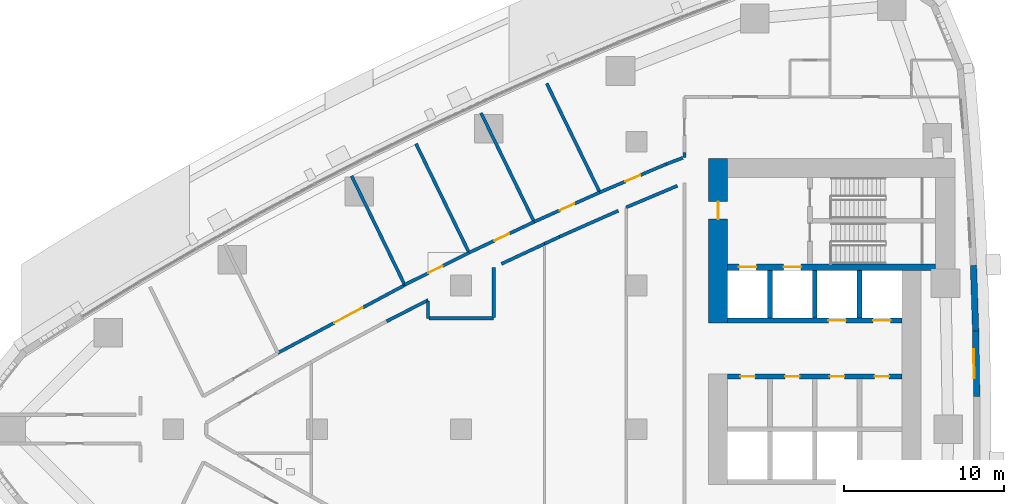
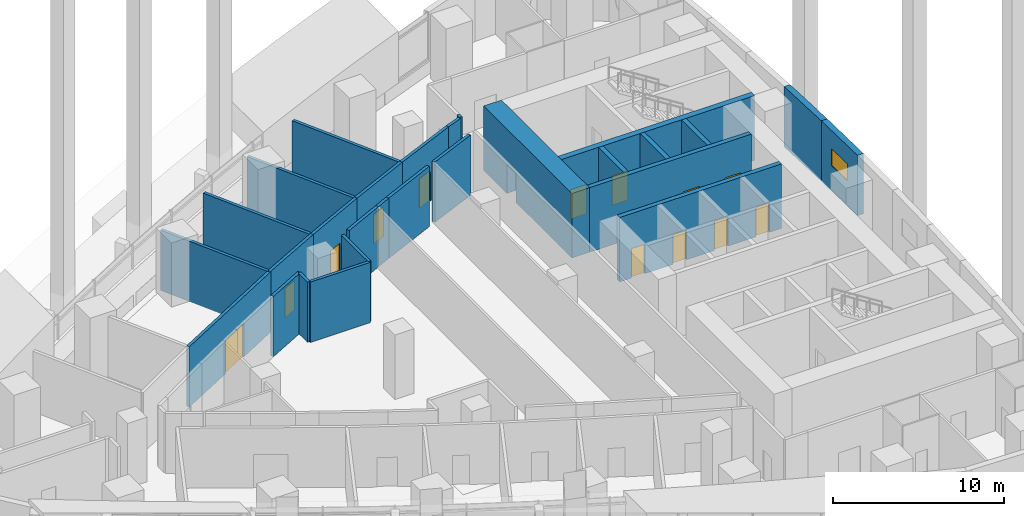
# One storey, part 12 of 20: 28 walls, 14 doors, 1 window, 15 openings.
"""IFC4 building model written with IfcOpenShell, lengths in metres."""

from ifc_helpers import new_model, si_unit, direction, frame, frame_2d, origin, place, context, subcontext, project, spatial, polyline, rectangle, outline, extrude, material, layer, layer_set, type_object, element, fill, save


model = new_model("IFC4")

# Units and contexts
model_context = context("Model", 3, precision=1e-05, world=origin(), true_north=direction((0.0, 1.0)))
body_context = subcontext(model_context, "Body", "Model", "MODEL_VIEW")
ifc_project = project(units=[si_unit("LENGTHUNIT", "METRE"), si_unit("AREAUNIT", "SQUARE_METRE"), si_unit("VOLUMEUNIT", "CUBIC_METRE"), si_unit("PLANEANGLEUNIT", "RADIAN"), si_unit("MASSUNIT", "GRAM", prefix="KILO")], contexts=[model_context])

# Site, building, storey
site_placement = place(None, origin())
site = spatial("IfcSite", under=ifc_project, at=site_placement, CompositionType="ELEMENT")
building_placement = place(site_placement, origin())
building = spatial("IfcBuilding", under=site, at=building_placement, Name="Ostrand Prow Hotel Tower", CompositionType="ELEMENT")
storey_placement = place(building_placement, frame((0.0, 0.0, 35.0)))
storey = spatial("IfcBuildingStorey", under=building, at=storey_placement, Name="L06", CompositionType="ELEMENT", Elevation=35.0)

# Wall, opening, door
ifc_material_1 = material(Name="Concrete C80/95", Category="concrete")
ifc_layer_1 = layer(ifc_material_1, 1.199951171875)
ifc_layer_set_1 = layer_set([ifc_layer_1], Name="Concrete C80/95")
wall_type_1 = type_object("IfcWallType", Name="Core wall 1200 C80/95", PredefinedType="SHEAR", material=ifc_layer_set_1)
wall_1_placement = place(storey_placement, frame((50.10009765625, 6.64990234375, 0.0), z_axis=(0.0, 0.0, 1.0), x_axis=(0.0, 1.0, 0.0)))
wall_1 = element("IfcWall", 1, at=wall_1_placement, inside=storey, type_object=wall_type_1, Name="Core wall CW-W-N", PredefinedType="SHEAR", context=body_context, shape_type="SweptSolid", body=[
    extrude(rectangle(XDim=10.300048828125, YDim=1.199951171875, at=frame_2d((5.14990234375, 0.0))), origin(), (0.0, 0.0, 1.0), 4.60009765625),
])
opening_1_placement = place(wall_1_placement, frame((6.5, 0.0, 0.0)))
opening_1 = element("IfcOpeningElement", 2, at=opening_1_placement, cuts=wall_1, Name="Opening FD1", PredefinedType="OPENING", context=body_context, shape_type="SweptSolid", body=[
    extrude(rectangle(XDim=1.10009765625, YDim=2.10009765625, at=frame_2d((0.550048828125, 1.050048828125))), frame((0.0, 0.60986328125, 0.0), z_axis=(0.0, -1.0, 0.0), x_axis=(1.0, 0.0, 0.0)), (0.0, 0.0, 1.0), 1.219970703125),
])
ifc_material_2 = material(Name="Steel fire door", Category="steel")
door_type_1 = type_object("IfcDoorType", Name="Fire door 1100 EI120", OperationType="SINGLE_SWING_RIGHT", PredefinedType="DOOR", material=ifc_material_2)
door_1_placement = place(opening_1_placement, origin())
door_1 = element("IfcDoor", 3, at=door_1_placement, inside=storey, type_object=door_type_1, Name="FIRE DOOR", OperationType="SINGLE_SWING_RIGHT", OverallHeight=2.10009765625, OverallWidth=1.10009765625, PredefinedType="DOOR", context=body_context, shape_type="SweptSolid", body=[
    extrude(rectangle(XDim=1.10009765625, YDim=2.10009765625, at=frame_2d((0.550048828125, 1.050048828125))), frame((0.0, 0.02490234375, 0.0), z_axis=(0.0, -1.0, 0.0), x_axis=(1.0, 0.0, 0.0)), (0.0, 0.0, 1.0), 0.050048828125),
])
fill(opening_1, door_1)

# Wall, openings, doors
ifc_material_3 = material(Name="Concrete C80/95", Category="concrete")
ifc_layer_2 = layer(ifc_material_3, 0.300048828125)
ifc_layer_set_2 = layer_set([ifc_layer_2], Name="Concrete C80/95")
wall_type_2 = type_object("IfcWallType", Name="Core wall 300 C80/95", PredefinedType="SHEAR", material=ifc_layer_set_2)
wall_2_placement = place(storey_placement, frame((50.699951171875, 3.300048828125, 0.0), z_axis=(0.0, 0.0, 1.0), x_axis=(1.0, 0.0, 0.0)))
wall_2 = element("IfcWall", 4, at=wall_2_placement, inside=storey, type_object=wall_type_2, Name="Core wall PW-L1-N", PredefinedType="SHEAR", context=body_context, shape_type="SweptSolid", body=[
    extrude(rectangle(XDim=10.900146484375, YDim=0.300048828125, at=frame_2d((5.4501953125, 0.0))), origin(), (0.0, 0.0, 1.0), 4.60009765625),
])
opening_2_placement = place(wall_2_placement, frame((0.800048828125, 0.0, 0.0)))
opening_2 = element("IfcOpeningElement", 5, at=opening_2_placement, cuts=wall_2, Name="Opening FD2", PredefinedType="OPENING", context=body_context, shape_type="SweptSolid", body=[
    extrude(rectangle(XDim=0.89990234375, YDim=2.10009765625, at=frame_2d((0.449951171875, 1.050048828125))), frame((0.0, 0.159912109375, 0.0), z_axis=(0.0, -1.0, 0.0), x_axis=(1.0, 0.0, 0.0)), (0.0, 0.0, 1.0), 0.320068359375),
])
opening_3_placement = place(wall_2_placement, frame((3.60009765625, 0.0, 0.0)))
opening_3 = element("IfcOpeningElement", 6, at=opening_3_placement, cuts=wall_2, Name="Opening FD2", PredefinedType="OPENING", context=body_context, shape_type="SweptSolid", body=[
    extrude(rectangle(XDim=0.89990234375, YDim=2.10009765625, at=frame_2d((0.449951171875, 1.050048828125))), frame((0.0, 0.159912109375, 0.0), z_axis=(0.0, -1.0, 0.0), x_axis=(1.0, 0.0, 0.0)), (0.0, 0.0, 1.0), 0.320068359375),
])
opening_4_placement = place(wall_2_placement, frame((6.39990234375, 0.0, 0.0)))
opening_4 = element("IfcOpeningElement", 7, at=opening_4_placement, cuts=wall_2, Name="Opening FD2", PredefinedType="OPENING", context=body_context, shape_type="SweptSolid", body=[
    extrude(rectangle(XDim=0.89990234375, YDim=2.10009765625, at=frame_2d((0.449951171875, 1.050048828125))), frame((0.0, 0.159912109375, 0.0), z_axis=(0.0, -1.0, 0.0), x_axis=(1.0, 0.0, 0.0)), (0.0, 0.0, 1.0), 0.320068359375),
])
opening_5_placement = place(wall_2_placement, frame((9.199951171875, 0.0, 0.0)))
opening_5 = element("IfcOpeningElement", 8, at=opening_5_placement, cuts=wall_2, Name="Opening FD2", PredefinedType="OPENING", context=body_context, shape_type="SweptSolid", body=[
    extrude(rectangle(XDim=0.89990234375, YDim=2.10009765625, at=frame_2d((0.449951171875, 1.050048828125))), frame((0.0, 0.159912109375, 0.0), z_axis=(0.0, -1.0, 0.0), x_axis=(1.0, 0.0, 0.0)), (0.0, 0.0, 1.0), 0.320068359375),
])
ifc_material_4 = material(Name="Steel fire door", Category="steel")
door_type_2 = type_object("IfcDoorType", Name="Fire door 900 EI120", OperationType="SINGLE_SWING_LEFT", PredefinedType="DOOR", material=ifc_material_4)
door_2_placement = place(opening_2_placement, origin())
door_2 = element("IfcDoor", 9, at=door_2_placement, inside=storey, type_object=door_type_2, Name="DOOR", OperationType="SINGLE_SWING_LEFT", OverallHeight=2.10009765625, OverallWidth=0.89990234375, PredefinedType="DOOR", context=body_context, shape_type="SweptSolid", body=[
    extrude(rectangle(XDim=0.89990234375, YDim=2.10009765625, at=frame_2d((0.449951171875, 1.050048828125))), frame((0.0, 0.02490234375, 0.0), z_axis=(0.0, -1.0, 0.0), x_axis=(1.0, 0.0, 0.0)), (0.0, 0.0, 1.0), 0.050048828125),
])
fill(opening_2, door_2)
door_3_placement = place(opening_3_placement, origin())
door_3 = element("IfcDoor", 10, at=door_3_placement, inside=storey, type_object=door_type_2, Name="DOOR", OperationType="SINGLE_SWING_LEFT", OverallHeight=2.10009765625, OverallWidth=0.89990234375, PredefinedType="DOOR", context=body_context, shape_type="SweptSolid", body=[
    extrude(rectangle(XDim=0.89990234375, YDim=2.10009765625, at=frame_2d((0.449951171875, 1.050048828125))), frame((0.0, 0.02490234375, 0.0), z_axis=(0.0, -1.0, 0.0), x_axis=(1.0, 0.0, 0.0)), (0.0, 0.0, 1.0), 0.050048828125),
])
fill(opening_3, door_3)
door_4_placement = place(opening_4_placement, origin())
door_4 = element("IfcDoor", 11, at=door_4_placement, inside=storey, type_object=door_type_2, Name="DOOR", OperationType="SINGLE_SWING_LEFT", OverallHeight=2.10009765625, OverallWidth=0.89990234375, PredefinedType="DOOR", context=body_context, shape_type="SweptSolid", body=[
    extrude(rectangle(XDim=0.89990234375, YDim=2.10009765625, at=frame_2d((0.449951171875, 1.050048828125))), frame((0.0, 0.02490234375, 0.0), z_axis=(0.0, -1.0, 0.0), x_axis=(1.0, 0.0, 0.0)), (0.0, 0.0, 1.0), 0.050048828125),
])
fill(opening_4, door_4)
door_5_placement = place(opening_5_placement, origin())
door_5 = element("IfcDoor", 12, at=door_5_placement, inside=storey, type_object=door_type_2, Name="DOOR", OperationType="SINGLE_SWING_LEFT", OverallHeight=2.10009765625, OverallWidth=0.89990234375, PredefinedType="DOOR", context=body_context, shape_type="SweptSolid", body=[
    extrude(rectangle(XDim=0.89990234375, YDim=2.10009765625, at=frame_2d((0.449951171875, 1.050048828125))), frame((0.0, 0.02490234375, 0.0), z_axis=(0.0, -1.0, 0.0), x_axis=(1.0, 0.0, 0.0)), (0.0, 0.0, 1.0), 0.050048828125),
])
fill(opening_5, door_5)

wall_3_placement = place(storey_placement, frame((50.699951171875, 6.800048828125, 0.0), z_axis=(0.0, 0.0, 1.0), x_axis=(1.0, 0.0, 0.0)))
wall_3 = element("IfcWall", 13, at=wall_3_placement, inside=storey, type_object=wall_type_2, Name="Core wall PW-L2-N", PredefinedType="SHEAR", context=body_context, shape_type="SweptSolid", body=[
    extrude(rectangle(XDim=10.900146484375, YDim=0.300048828125, at=frame_2d((5.4501953125, 0.0))), origin(), (0.0, 0.0, 1.0), 4.60009765625),
])
opening_6_placement = place(wall_3_placement, frame((6.300048828125, 0.0, 0.0)))
opening_6 = element("IfcOpeningElement", 14, at=opening_6_placement, cuts=wall_3, Name="Opening LD", PredefinedType="OPENING", context=body_context, shape_type="SweptSolid", body=[
    extrude(rectangle(XDim=1.10009765625, YDim=2.10009765625, at=frame_2d((0.550048828125, 1.050048828125))), frame((0.0, 0.159912109375, 0.0), z_axis=(0.0, -1.0, 0.0), x_axis=(1.0, 0.0, 0.0)), (0.0, 0.0, 1.0), 0.320068359375),
])
opening_7_placement = place(wall_3_placement, frame((9.10009765625, 0.0, 0.0)))
opening_7 = element("IfcOpeningElement", 15, at=opening_7_placement, cuts=wall_3, Name="Opening LD", PredefinedType="OPENING", context=body_context, shape_type="SweptSolid", body=[
    extrude(rectangle(XDim=1.10009765625, YDim=2.10009765625, at=frame_2d((0.550048828125, 1.050048828125))), frame((0.0, 0.159912109375, 0.0), z_axis=(0.0, -1.0, 0.0), x_axis=(1.0, 0.0, 0.0)), (0.0, 0.0, 1.0), 0.320068359375),
])
ifc_material_5 = material(Name="Stainless steel door", Category="steel")
door_type_3 = type_object("IfcDoorType", Name="Lift landing door 1100", OperationType="DOUBLE_DOOR_SLIDING", PredefinedType="DOOR", material=ifc_material_5)
door_6_placement = place(opening_6_placement, origin())
door_6 = element("IfcDoor", 16, at=door_6_placement, inside=storey, type_object=door_type_3, Name="LIFT LANDING DOOR", OperationType="DOUBLE_DOOR_SLIDING", OverallHeight=2.10009765625, OverallWidth=1.10009765625, PredefinedType="DOOR", context=body_context, shape_type="SweptSolid", body=[
    extrude(rectangle(XDim=1.10009765625, YDim=2.10009765625, at=frame_2d((0.550048828125, 1.050048828125))), frame((0.0, 0.02490234375, 0.0), z_axis=(0.0, -1.0, 0.0), x_axis=(1.0, 0.0, 0.0)), (0.0, 0.0, 1.0), 0.050048828125),
])
fill(opening_6, door_6)
door_7_placement = place(opening_7_placement, origin())
door_7 = element("IfcDoor", 17, at=door_7_placement, inside=storey, type_object=door_type_3, Name="LIFT LANDING DOOR", OperationType="DOUBLE_DOOR_SLIDING", OverallHeight=2.10009765625, OverallWidth=1.10009765625, PredefinedType="DOOR", context=body_context, shape_type="SweptSolid", body=[
    extrude(rectangle(XDim=1.10009765625, YDim=2.10009765625, at=frame_2d((0.550048828125, 1.050048828125))), frame((0.0, 0.02490234375, 0.0), z_axis=(0.0, -1.0, 0.0), x_axis=(1.0, 0.0, 0.0)), (0.0, 0.0, 1.0), 0.050048828125),
])
fill(opening_7, door_7)

# Walls
for number, where, z_axis, x_axis, name in (
    (18, (53.35009765625, 6.949951171875, 0.0), (0.0, 0.0, 1.0), (0.0, 1.0, 0.0), "Core wall PW-R1-NA"),
    (19, (56.14990234375, 6.949951171875, 0.0), (0.0, 0.0, 1.0), (0.0, 1.0, 0.0), "Core wall PW-R2-NA"),
    (20, (58.949951171875, 6.949951171875, 0.0), (0.0, 0.0, 1.0), (0.0, 1.0, 0.0), "Core wall PW-R3-NA"),
):
    element("IfcWall", number, at=place(storey_placement, frame(where, z_axis=z_axis, x_axis=x_axis)), inside=storey, type_object=wall_type_2, Name=name, PredefinedType="SHEAR", context=body_context, shape_type="SweptSolid", body=[
        extrude(rectangle(XDim=3.0, YDim=0.300048828125, at=frame_2d((1.5, 0.0))), origin(), (0.0, 0.0, 1.0), 4.60009765625),
    ])

# Wall, openings, doors
ifc_material_6 = material(Name="Concrete C80/95", Category="concrete")
ifc_layer_3 = layer(ifc_material_6, 0.39990234375)
ifc_layer_set_3 = layer_set([ifc_layer_3], Name="Concrete C80/95")
wall_type_3 = type_object("IfcWallType", Name="Core wall 400 C80/95", PredefinedType="SHEAR", material=ifc_layer_set_3)
wall_4_placement = place(storey_placement, frame((50.699951171875, 10.14990234375, 0.0), z_axis=(0.0, 0.0, 1.0), x_axis=(1.0, 0.0, 0.0)))
wall_4 = element("IfcWall", 21, at=wall_4_placement, inside=storey, type_object=wall_type_3, Name="Core wall PW-BN", PredefinedType="SHEAR", context=body_context, shape_type="SweptSolid", body=[
    extrude(rectangle(XDim=13.02001953125, YDim=0.39990234375, at=frame_2d((6.510009765625, 0.0))), origin(), (0.0, 0.0, 1.0), 4.60009765625),
])
opening_8_placement = place(wall_4_placement, frame((0.699951171875, 0.0, 0.0)))
opening_8 = element("IfcOpeningElement", 22, at=opening_8_placement, cuts=wall_4, Name="Opening LD", PredefinedType="OPENING", context=body_context, shape_type="SweptSolid", body=[
    extrude(rectangle(XDim=1.10009765625, YDim=2.10009765625, at=frame_2d((0.550048828125, 1.050048828125))), frame((0.0, 0.2099609375, 0.0), z_axis=(0.0, -1.0, 0.0), x_axis=(1.0, 0.0, 0.0)), (0.0, 0.0, 1.0), 0.419921875),
])
opening_9_placement = place(wall_4_placement, frame((3.5, 0.0, 0.0)))
opening_9 = element("IfcOpeningElement", 23, at=opening_9_placement, cuts=wall_4, Name="Opening LD", PredefinedType="OPENING", context=body_context, shape_type="SweptSolid", body=[
    extrude(rectangle(XDim=1.10009765625, YDim=2.10009765625, at=frame_2d((0.550048828125, 1.050048828125))), frame((0.0, 0.2099609375, 0.0), z_axis=(0.0, -1.0, 0.0), x_axis=(1.0, 0.0, 0.0)), (0.0, 0.0, 1.0), 0.419921875),
])
door_8_placement = place(opening_8_placement, origin())
door_8 = element("IfcDoor", 24, at=door_8_placement, inside=storey, type_object=door_type_3, Name="LIFT LANDING DOOR", OperationType="DOUBLE_DOOR_SLIDING", OverallHeight=2.10009765625, OverallWidth=1.10009765625, PredefinedType="DOOR", context=body_context, shape_type="SweptSolid", body=[
    extrude(rectangle(XDim=1.10009765625, YDim=2.10009765625, at=frame_2d((0.550048828125, 1.050048828125))), frame((0.0, 0.02490234375, 0.0), z_axis=(0.0, -1.0, 0.0), x_axis=(1.0, 0.0, 0.0)), (0.0, 0.0, 1.0), 0.050048828125),
])
fill(opening_8, door_8)
door_9_placement = place(opening_9_placement, origin())
door_9 = element("IfcDoor", 25, at=door_9_placement, inside=storey, type_object=door_type_3, Name="LIFT LANDING DOOR", OperationType="DOUBLE_DOOR_SLIDING", OverallHeight=2.10009765625, OverallWidth=1.10009765625, PredefinedType="DOOR", context=body_context, shape_type="SweptSolid", body=[
    extrude(rectangle(XDim=1.10009765625, YDim=2.10009765625, at=frame_2d((0.550048828125, 1.050048828125))), frame((0.0, 0.02490234375, 0.0), z_axis=(0.0, -1.0, 0.0), x_axis=(1.0, 0.0, 0.0)), (0.0, 0.0, 1.0), 0.050048828125),
])
fill(opening_9, door_9)

# Wall, opening, door
ifc_material_7 = material(Name="Plasterboard partition")
ifc_layer_4 = layer(ifc_material_7, 0.199951171875)
ifc_layer_set_4 = layer_set([ifc_layer_4], Name="Plasterboard partition")
wall_type_4 = type_object("IfcWallType", Name="Partition 200 corridor wall", PredefinedType="PARTITIONING", material=ifc_layer_set_4)
wall_5_placement = place(storey_placement, frame((22.541015625, 4.772705078125, 0.0), z_axis=(0.0, 0.0, 1.0), x_axis=(0.881864282024, 0.471503327762, 0.0)))
wall_5 = element("IfcWall", 26, at=wall_5_placement, inside=storey, type_object=wall_type_4, Name="CORRIDOR WALL", PredefinedType="PARTITIONING", context=body_context, shape_type="SweptSolid", body=[
    extrude(rectangle(XDim=9.01220703125, YDim=0.199951171875, at=frame_2d((4.506103515625, 0.0))), origin(), (0.0, 0.0, 1.0), 4.300048828125),
])
opening_10_placement = place(wall_5_placement, frame((4.006103515625, 0.0, 0.0)))
opening_10 = element("IfcOpeningElement", 27, at=opening_10_placement, cuts=wall_5, Name="Opening D20", PredefinedType="OPENING", context=body_context, shape_type="SweptSolid", body=[
    extrude(rectangle(XDim=2.0, YDim=2.39990234375, at=frame_2d((1.0, 1.199951171875))), frame((0.0, 0.10986328125, 0.0), z_axis=(0.0, -1.0, 0.0), x_axis=(1.0, 0.0, 0.0)), (0.0, 0.0, 1.0), 0.219970703125),
])
ifc_material_8 = material(Name="Timber door leaf", Category="wood")
door_type_4 = type_object("IfcDoorType", Name="Double door 2000", OperationType="DOUBLE_DOOR_SINGLE_SWING", PredefinedType="DOOR", material=ifc_material_8)
door_10_placement = place(opening_10_placement, origin())
door_10 = element("IfcDoor", 28, at=door_10_placement, inside=storey, type_object=door_type_4, Name="DOOR", OperationType="DOUBLE_DOOR_SINGLE_SWING", OverallHeight=2.39990234375, OverallWidth=2.0, PredefinedType="DOOR", context=body_context, shape_type="SweptSolid", body=[
    extrude(rectangle(XDim=2.0, YDim=2.39990234375, at=frame_2d((1.0, 1.199951171875))), frame((0.0, 0.02490234375, 0.0), z_axis=(0.0, -1.0, 0.0), x_axis=(1.0, 0.0, 0.0)), (0.0, 0.0, 1.0), 0.050048828125),
])
fill(opening_10, door_10)

wall_6_placement = place(storey_placement, frame((30.479736328125, 9.039794921875, 0.0), z_axis=(0.0, 0.0, 1.0), x_axis=(0.894989913054, 0.446086376761, 0.0)))
wall_6 = element("IfcWall", 29, at=wall_6_placement, inside=storey, type_object=wall_type_4, Name="CORRIDOR WALL", PredefinedType="PARTITIONING", context=body_context, shape_type="SweptSolid", body=[
    extrude(rectangle(XDim=4.50634765625, YDim=0.199951171875, at=frame_2d((2.253173828125, 0.0))), origin(), (0.0, 0.0, 1.0), 4.300048828125),
])
opening_11_placement = place(wall_6_placement, frame((1.64990234375, 0.0, 0.0)))
opening_11 = element("IfcOpeningElement", 30, at=opening_11_placement, cuts=wall_6, Name="Opening D1", PredefinedType="OPENING", context=body_context, shape_type="SweptSolid", body=[
    extrude(rectangle(XDim=1.0, YDim=2.10009765625, at=frame_2d((0.5, 1.050048828125))), frame((0.0, 0.10986328125, 0.0), z_axis=(0.0, -1.0, 0.0), x_axis=(1.0, 0.0, 0.0)), (0.0, 0.0, 1.0), 0.219970703125),
])
ifc_material_9 = material(Name="Timber door leaf", Category="wood")
door_type_5 = type_object("IfcDoorType", Name="Guest room door 1000", OperationType="SINGLE_SWING_LEFT", PredefinedType="DOOR", material=ifc_material_9)
door_11_placement = place(opening_11_placement, origin())
door_11 = element("IfcDoor", 31, at=door_11_placement, inside=storey, type_object=door_type_5, Name="DOOR", OperationType="SINGLE_SWING_LEFT", OverallHeight=2.10009765625, OverallWidth=1.0, PredefinedType="DOOR", context=body_context, shape_type="SweptSolid", body=[
    extrude(rectangle(XDim=1.0, YDim=2.10009765625, at=frame_2d((0.5, 1.050048828125))), frame((0.0, 0.02490234375, 0.0), z_axis=(0.0, -1.0, 0.0), x_axis=(1.0, 0.0, 0.0)), (0.0, 0.0, 1.0), 0.050048828125),
])
fill(opening_11, door_11)

wall_7_placement = place(storey_placement, frame((38.584716796875, 12.981201171875, 0.0), z_axis=(0.0, 0.0, 1.0), x_axis=(-0.903706948966, -0.428151550727, 0.0)))
wall_7 = element("IfcWall", 32, at=wall_7_placement, inside=storey, type_object=wall_type_4, Name="CORRIDOR WALL", PredefinedType="PARTITIONING", context=body_context, shape_type="SweptSolid", body=[
    extrude(rectangle(XDim=4.50634765625, YDim=0.199951171875, at=frame_2d((2.253173828125, 0.0))), origin(), (0.0, 0.0, 1.0), 4.300048828125),
])
opening_12_placement = place(wall_7_placement, frame((1.75341796875, 0.0, 0.0)))
opening_12 = element("IfcOpeningElement", 33, at=opening_12_placement, cuts=wall_7, Name="Opening D1R", PredefinedType="OPENING", context=body_context, shape_type="SweptSolid", body=[
    extrude(rectangle(XDim=1.0, YDim=2.10009765625, at=frame_2d((0.5, 1.050048828125))), frame((0.0, 0.10986328125, 0.0), z_axis=(0.0, -1.0, 0.0), x_axis=(1.0, 0.0, 0.0)), (0.0, 0.0, 1.0), 0.219970703125),
])
ifc_material_10 = material(Name="Timber door leaf", Category="wood")
door_type_6 = type_object("IfcDoorType", Name="Guest room door 1000 right", OperationType="SINGLE_SWING_RIGHT", PredefinedType="DOOR", material=ifc_material_10)
door_12_placement = place(opening_12_placement, origin())
door_12 = element("IfcDoor", 34, at=door_12_placement, inside=storey, type_object=door_type_6, Name="DOOR", OperationType="SINGLE_SWING_RIGHT", OverallHeight=2.10009765625, OverallWidth=1.0, PredefinedType="DOOR", context=body_context, shape_type="SweptSolid", body=[
    extrude(rectangle(XDim=1.0, YDim=2.10009765625, at=frame_2d((0.5, 1.050048828125))), frame((0.0, 0.02490234375, 0.0), z_axis=(0.0, -1.0, 0.0), x_axis=(1.0, 0.0, 0.0)), (0.0, 0.0, 1.0), 0.050048828125),
])
fill(opening_12, door_12)

wall_8_placement = place(storey_placement, frame((42.694091796875, 14.8271484375, 0.0), z_axis=(0.0, 0.0, 1.0), x_axis=(-0.912193063794, -0.409760679381, 0.0)))
wall_8 = element("IfcWall", 35, at=wall_8_placement, inside=storey, type_object=wall_type_4, Name="CORRIDOR WALL", PredefinedType="PARTITIONING", context=body_context, shape_type="SweptSolid", body=[
    extrude(rectangle(XDim=4.5048828125, YDim=0.199951171875, at=frame_2d((2.25244140625, 0.0))), origin(), (0.0, 0.0, 1.0), 4.300048828125),
])
opening_13_placement = place(wall_8_placement, frame((1.75244140625, 0.0, 0.0)))
opening_13 = element("IfcOpeningElement", 36, at=opening_13_placement, cuts=wall_8, Name="Opening D1", PredefinedType="OPENING", context=body_context, shape_type="SweptSolid", body=[
    extrude(rectangle(XDim=1.0, YDim=2.10009765625, at=frame_2d((0.5, 1.050048828125))), frame((0.0, 0.10986328125, 0.0), z_axis=(0.0, -1.0, 0.0), x_axis=(1.0, 0.0, 0.0)), (0.0, 0.0, 1.0), 0.219970703125),
])
door_13_placement = place(opening_13_placement, origin())
door_13 = element("IfcDoor", 37, at=door_13_placement, inside=storey, type_object=door_type_5, Name="DOOR", OperationType="SINGLE_SWING_LEFT", OverallHeight=2.10009765625, OverallWidth=1.0, PredefinedType="DOOR", context=body_context, shape_type="SweptSolid", body=[
    extrude(rectangle(XDim=1.0, YDim=2.10009765625, at=frame_2d((0.5, 1.050048828125))), frame((0.0, 0.02490234375, 0.0), z_axis=(0.0, -1.0, 0.0), x_axis=(1.0, 0.0, 0.0)), (0.0, 0.0, 1.0), 0.050048828125),
])
fill(opening_13, door_13)

wall_9_placement = place(storey_placement, frame((46.843505859375, 16.5908203125, 0.0), z_axis=(0.0, 0.0, 1.0), x_axis=(-0.92031727314, -0.39117274542, 0.0)))
wall_9 = element("IfcWall", 38, at=wall_9_placement, inside=storey, type_object=wall_type_4, Name="CORRIDOR WALL", PredefinedType="PARTITIONING", context=body_context, shape_type="SweptSolid", body=[
    extrude(rectangle(XDim=4.5087890625, YDim=0.199951171875, at=frame_2d((2.25439453125, 0.0))), origin(), (0.0, 0.0, 1.0), 4.300048828125),
])
opening_14_placement = place(wall_9_placement, frame((1.75439453125, 0.0, 0.0)))
opening_14 = element("IfcOpeningElement", 39, at=opening_14_placement, cuts=wall_9, Name="Opening D1R", PredefinedType="OPENING", context=body_context, shape_type="SweptSolid", body=[
    extrude(rectangle(XDim=1.0, YDim=2.10009765625, at=frame_2d((0.5, 1.050048828125))), frame((0.0, 0.10986328125, 0.0), z_axis=(0.0, -1.0, 0.0), x_axis=(1.0, 0.0, 0.0)), (0.0, 0.0, 1.0), 0.219970703125),
])
door_14_placement = place(opening_14_placement, origin())
door_14 = element("IfcDoor", 40, at=door_14_placement, inside=storey, type_object=door_type_6, Name="DOOR", OperationType="SINGLE_SWING_RIGHT", OverallHeight=2.10009765625, OverallWidth=1.0, PredefinedType="DOOR", context=body_context, shape_type="SweptSolid", body=[
    extrude(rectangle(XDim=1.0, YDim=2.10009765625, at=frame_2d((0.5, 1.050048828125))), frame((0.0, 0.02490234375, 0.0), z_axis=(0.0, -1.0, 0.0), x_axis=(1.0, 0.0, 0.0)), (0.0, 0.0, 1.0), 0.050048828125),
])
fill(opening_14, door_14)

# Walls
wall_10_placement = place(storey_placement, frame((29.357421875, 6.758056640625, 0.0), z_axis=(0.0, 0.0, 1.0), x_axis=(0.890213377055, 0.455543788579, 0.0)))
element("IfcWall", 41, at=wall_10_placement, inside=storey, type_object=wall_type_4, Name="CORRIDOR WALL", PredefinedType="PARTITIONING", context=body_context, shape_type="SweptSolid", body=[
    extrude(rectangle(XDim=2.912353515625, YDim=0.199951171875, at=frame_2d((1.4560546875, 0.0))), origin(), (0.0, 0.0, 1.0), 4.300048828125),
])
wall_11_placement = place(storey_placement, frame((36.5400390625, 10.35107421875, 0.0), z_axis=(0.0, 0.0, 1.0), x_axis=(0.90636141858, 0.422503229467, 0.0)))
element("IfcWall", 42, at=wall_11_placement, inside=storey, type_object=wall_type_4, Name="CORRIDOR WALL", PredefinedType="PARTITIONING", context=body_context, shape_type="SweptSolid", body=[
    extrude(rectangle(XDim=2.972412109375, YDim=0.199951171875, at=frame_2d((1.486328125, 0.0))), origin(), (0.0, 0.0, 1.0), 4.300048828125),
])
wall_12_placement = place(storey_placement, frame((40.1796875, 12.0478515625, 0.0), z_axis=(0.0, 0.0, 1.0), x_axis=(0.913986953061, 0.405743576209, 0.0)))
element("IfcWall", 43, at=wall_12_placement, inside=storey, type_object=wall_type_4, Name="CORRIDOR WALL", PredefinedType="PARTITIONING", context=body_context, shape_type="SweptSolid", body=[
    extrude(rectangle(XDim=4.015869140625, YDim=0.199951171875, at=frame_2d((2.0078125, 0.0))), origin(), (0.0, 0.0, 1.0), 4.300048828125),
])
wall_13_placement = place(storey_placement, frame((39.234130859375, 11.60693359375, 0.0), z_axis=(0.0, 0.0, 1.0), x_axis=(0.906308643899, 0.422616424188, 0.0)))
element("IfcWall", 44, at=wall_13_placement, inside=storey, type_object=wall_type_4, Name="CORRIDOR WALL", PredefinedType="PARTITIONING", context=body_context, shape_type="SweptSolid", body=[
    extrude(rectangle(XDim=1.043212890625, YDim=0.199951171875, at=frame_2d((0.521484375, 0.0))), origin(), (0.0, 0.0, 1.0), 4.300048828125),
])
wall_14_placement = place(storey_placement, frame((44.34765625, 13.88720703125, 0.0), z_axis=(0.0, 0.0, 1.0), x_axis=(0.921260748386, 0.388945540512, 0.0)))
element("IfcWall", 45, at=wall_14_placement, inside=storey, type_object=wall_type_4, Name="CORRIDOR WALL", PredefinedType="PARTITIONING", context=body_context, shape_type="SweptSolid", body=[
    extrude(rectangle(XDim=3.4755859375, YDim=0.199951171875, at=frame_2d((1.73779296875, 0.0))), origin(), (0.0, 0.0, 1.0), 4.300048828125),
])
wall_15_placement = place(storey_placement, frame((31.945068359375, 8.037353515625, 0.0), z_axis=(0.0, 0.0, 1.0), x_axis=(0.003129875123, -0.999995101929, 0.0)))
element("IfcWall", 46, at=wall_15_placement, inside=storey, type_object=wall_type_4, Name="CORRIDOR WALL", PredefinedType="PARTITIONING", context=body_context, shape_type="SweptSolid", body=[
    extrude(rectangle(XDim=1.092041015625, YDim=0.199951171875, at=frame_2d((0.5458984375, 0.0))), origin(), (0.0, 0.0, 1.0), 4.300048828125),
])
wall_16_placement = place(storey_placement, frame((31.988525390625, 6.9453125, 0.0), z_axis=(0.0, 0.0, 1.0), x_axis=(0.999999998196, 6.0074492e-05, 0.0)))
element("IfcWall", 47, at=wall_16_placement, inside=storey, type_object=wall_type_4, Name="CORRIDOR WALL", PredefinedType="PARTITIONING", context=body_context, shape_type="SweptSolid", body=[
    extrude(rectangle(XDim=4.06396484375, YDim=0.199951171875, at=frame_2d((2.031982421875, 0.0))), origin(), (0.0, 0.0, 1.0), 4.300048828125),
])
wall_17_placement = place(storey_placement, frame((36.052490234375, 6.985595703125, 0.0), z_axis=(0.0, 0.0, 1.0), x_axis=(0.000781799464, 0.999999694395, 0.0)))
element("IfcWall", 48, at=wall_17_placement, inside=storey, type_object=wall_type_4, Name="CORRIDOR WALL", PredefinedType="PARTITIONING", context=body_context, shape_type="SweptSolid", body=[
    extrude(rectangle(XDim=3.122802734375, YDim=0.199951171875, at=frame_2d((1.5615234375, 0.0))), origin(), (0.0, 0.0, 1.0), 4.300048828125),
])
wall_18_placement = place(storey_placement, frame((47.99853515625, 17.31591796875, 0.0), z_axis=(0.0, 0.0, 1.0), x_axis=(0.000787401331, -0.99999969, 0.0)))
element("IfcWall", 49, at=wall_18_placement, inside=storey, type_object=wall_type_4, Name="CORRIDOR WALL", PredefinedType="PARTITIONING", context=body_context, shape_type="SweptSolid", body=[
    extrude(rectangle(XDim=0.31005859375, YDim=0.199951171875, at=frame_2d((0.155029296875, 0.0))), origin(), (0.0, 0.0, 1.0), 4.300048828125),
])
wall_19_placement = place(storey_placement, frame((47.887451171875, 16.988525390625, 0.0), z_axis=(0.0, 0.0, 1.0), x_axis=(-0.934484272838, -0.356004415447, 0.0)))
element("IfcWall", 50, at=wall_19_placement, inside=storey, type_object=wall_type_4, Name="CORRIDOR WALL", PredefinedType="PARTITIONING", context=body_context, shape_type="SweptSolid", body=[
    extrude(rectangle(XDim=1.1171875, YDim=0.199951171875, at=frame_2d((0.55859375, 0.0))), origin(), (0.0, 0.0, 1.0), 4.300048828125),
])
ifc_material_11 = material(Name="Plasterboard partition")
ifc_layer_5 = layer(ifc_material_11, 0.199951171875)
ifc_layer_set_5 = layer_set([ifc_layer_5], Name="Plasterboard partition")
wall_type_5 = type_object("IfcWallType", Name="Partition 200 key partition", PredefinedType="PARTITIONING", material=ifc_layer_set_5)
wall_20_placement = place(storey_placement, frame((30.488525390625, 9.02197265625, 0.0), z_axis=(0.0, 0.0, 1.0), x_axis=(-0.43822365664, 0.898865967072, 0.0)))
element("IfcWall", 51, at=wall_20_placement, inside=storey, type_object=wall_type_5, Name="KEY PARTITION", PredefinedType="PARTITIONING", context=body_context, shape_type="SweptSolid", body=[
    extrude(rectangle(XDim=7.601318359375, YDim=0.199951171875, at=frame_2d((3.80078125, 0.0))), origin(), (0.0, 0.0, 1.0), 4.300048828125),
])
wall_21_placement = place(storey_placement, frame((34.512939453125, 11.050048828125, 0.0), z_axis=(0.0, 0.0, 1.0), x_axis=(-0.438187612283, 0.898883538865, 0.0)))
element("IfcWall", 52, at=wall_21_placement, inside=storey, type_object=wall_type_5, Name="KEY PARTITION", PredefinedType="PARTITIONING", context=body_context, shape_type="SweptSolid", body=[
    extrude(rectangle(XDim=7.581787109375, YDim=0.199951171875, at=frame_2d((3.791015625, 0.0))), origin(), (0.0, 0.0, 1.0), 4.300048828125),
])
wall_22_placement = place(storey_placement, frame((38.593505859375, 12.96337890625, 0.0), z_axis=(0.0, 0.0, 1.0), x_axis=(-0.438197705697, 0.898878618459, 0.0)))
element("IfcWall", 53, at=wall_22_placement, inside=storey, type_object=wall_type_5, Name="KEY PARTITION", PredefinedType="PARTITIONING", context=body_context, shape_type="SweptSolid", body=[
    extrude(rectangle(XDim=7.60107421875, YDim=0.199951171875, at=frame_2d((3.800537109375, 0.0))), origin(), (0.0, 0.0, 1.0), 4.300048828125),
])
wall_23_placement = place(storey_placement, frame((42.702880859375, 14.80908203125, 0.0), z_axis=(0.0, 0.0, 1.0), x_axis=(-0.438202247191, 0.898876404494, 0.0)))
element("IfcWall", 54, at=wall_23_placement, inside=storey, type_object=wall_type_5, Name="KEY PARTITION", PredefinedType="PARTITIONING", context=body_context, shape_type="SweptSolid", body=[
    extrude(rectangle(XDim=7.60498046875, YDim=0.199951171875, at=frame_2d((3.802490234375, 0.0))), origin(), (0.0, 0.0, 1.0), 4.300048828125),
])

# Wall, opening, window
ifc_material_12 = material(Name="Precast concrete C40/50", Category="concrete")
ifc_layer_6 = layer(ifc_material_12, 0.39990234375)
ifc_layer_set_6 = layer_set([ifc_layer_6], Name="Precast concrete C40/50")
wall_type_6 = type_object("IfcWallType", Name="Stone-faced precast wall 400 mm", PredefinedType="NOTDEFINED", material=ifc_layer_set_6)
wall_24_placement = place(storey_placement, frame((66.29150390625, 2.052490234375, 0.0), z_axis=(0.0, 0.0, 1.0), x_axis=(-0.016830829972, 0.999858351549, 0.0)))
wall_24 = element("IfcWall", 55, at=wall_24_placement, inside=storey, type_object=wall_type_6, Name="Stone-faced wall back 11", PredefinedType="NOTDEFINED", context=body_context, shape_type="SweptSolid", body=[
    extrude(outline(polyline([(-0.001708984375, -0.199951171875), (4.106689453125, -0.199951171875), (4.103271484375, 0.199951171875), (0.001708984375, 0.199951171875), (-0.001708984375, -0.199951171875)])), origin(), (0.0, 0.0, 1.0), 4.300048828125),
])
opening_15_placement = place(wall_24_placement, frame((1.152587890625, 0.0, 1.800048828125)))
opening_15 = element("IfcOpeningElement", 56, at=opening_15_placement, cuts=wall_24, Name="Opening WC1", PredefinedType="OPENING", context=body_context, shape_type="SweptSolid", body=[
    extrude(rectangle(XDim=1.800048828125, YDim=1.199951171875, at=frame_2d((0.89990234375, 0.60009765625))), frame((0.0, 0.2099609375, 0.0), z_axis=(0.0, -1.0, 0.0), x_axis=(1.0, 0.0, 0.0)), (0.0, 0.0, 1.0), 0.419921875),
])
ifc_material_13 = material(Name="Insulated glass in bronze frame", Category="glass")
window_type = type_object("IfcWindowType", Name="Sky lobby clerestory window 1800x1200", PartitioningType="SINGLE_PANEL", PredefinedType="WINDOW", material=ifc_material_13)
window_placement = place(opening_15_placement, origin())
window = element("IfcWindow", 57, at=window_placement, inside=storey, type_object=window_type, Name="Window back 11.1", OverallHeight=1.199951171875, OverallWidth=1.800048828125, PartitioningType="SINGLE_PANEL", PredefinedType="WINDOW", context=body_context, shape_type="SweptSolid", body=[
    extrude(rectangle(XDim=1.800048828125, YDim=1.199951171875, at=frame_2d((0.89990234375, 0.60009765625))), frame((0.0, 0.169921875, 0.0), z_axis=(0.0, -1.0, 0.0), x_axis=(1.0, 0.0, 0.0)), (0.0, 0.0, 1.0), 0.06005859375),
])
fill(opening_15, window)

# Wall
wall_25_placement = place(storey_placement, frame((66.222412109375, 6.156982421875, 0.0), z_axis=(0.0, 0.0, 1.0), x_axis=(-0.033542554696, 0.999437290191, 0.0)))
element("IfcWall", 58, at=wall_25_placement, inside=storey, type_object=wall_type_6, Name="Stone-faced wall back 12", PredefinedType="NOTDEFINED", context=body_context, shape_type="SweptSolid", body=[
    extrude(outline(polyline([(-0.001708984375, -0.199951171875), (4.106689453125, -0.199951171875), (4.103271484375, 0.199951171875), (0.001708984375, 0.199951171875), (-0.001708984375, -0.199951171875)])), origin(), (0.0, 0.0, 1.0), 4.300048828125),
])

save(model, "model.ifc")
